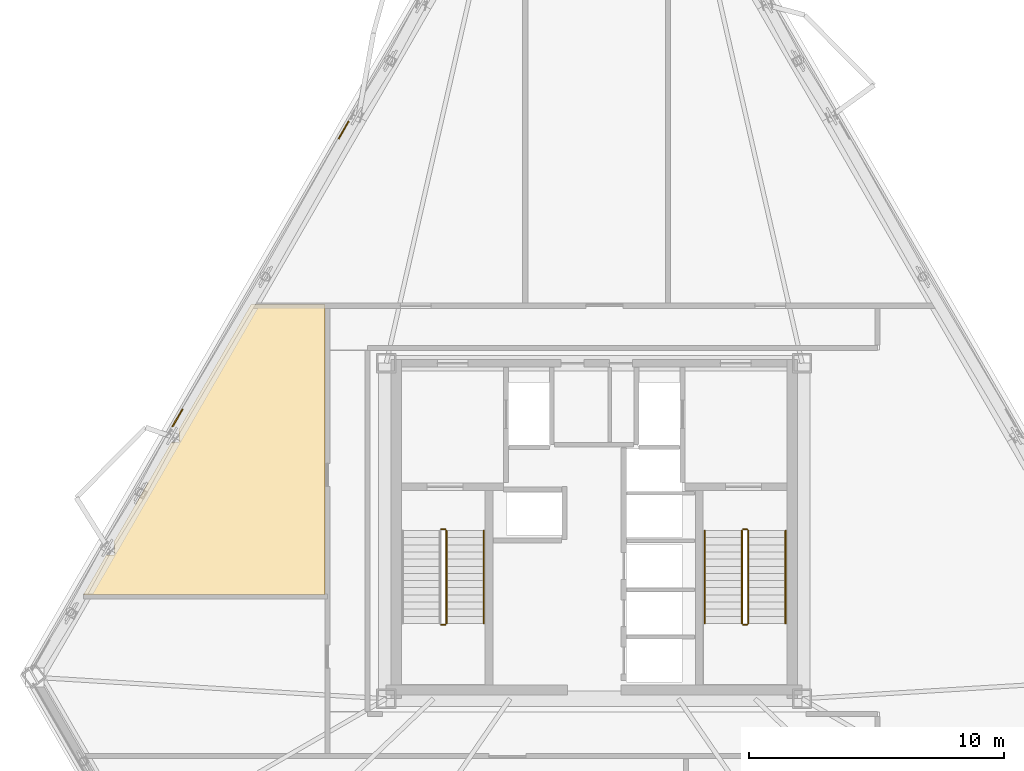
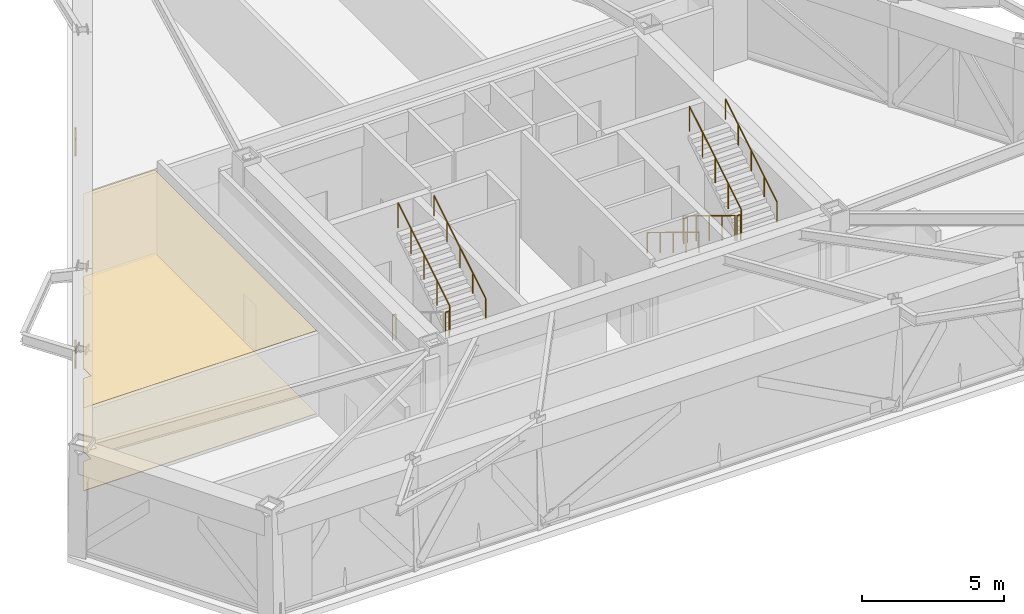
# One storey, part 9 of 10: 10 railings, 4 coverings.
"""IFC4 building model written with IfcOpenShell, lengths in metres."""

from ifc_helpers import new_model, si_unit, direction, frame, origin, origin_2d, place, context, subcontext, project, spatial, polyline, rectangle, circle, outline, extrude, material, layer, layer_set, type_object, element, save


model = new_model("IFC4")

# Units and contexts
model_context = context("Model", 3, precision=1e-05, world=origin(), true_north=direction((0.0, 1.0)))
body_context = subcontext(model_context, "Body", "Model", "MODEL_VIEW")
ifc_project = project(units=[si_unit("LENGTHUNIT", "METRE"), si_unit("AREAUNIT", "SQUARE_METRE"), si_unit("VOLUMEUNIT", "CUBIC_METRE"), si_unit("PLANEANGLEUNIT", "RADIAN"), si_unit("MASSUNIT", "GRAM", prefix="KILO")], contexts=[model_context])

# Site, building, storey
site_placement = place(None, origin())
site = spatial("IfcSite", under=ifc_project, at=site_placement, CompositionType="ELEMENT")
building_placement = place(site_placement, origin())
building = spatial("IfcBuilding", under=site, at=building_placement, Name="Oramaril Tower", CompositionType="ELEMENT")
storey_placement = place(building_placement, frame((0.0, 0.0, 189.0)))
storey = spatial("IfcBuildingStorey", under=building, at=storey_placement, Name="L50", CompositionType="ELEMENT", Elevation=189.0)

# Coverings
ifc_material_1 = material(Name="Mineral Fibre Acoustic Ceiling")
ifc_layer_1 = layer(ifc_material_1, 0.02001953125)
ifc_layer_set_1 = layer_set([ifc_layer_1], Name="CVT-CEIL")
covering_type_1 = type_object("IfcCoveringType", Name="CVT-CEIL", PredefinedType="CEILING", material=ifc_layer_set_1)
covering_1_placement = place(storey_placement, frame((0.0, 0.0, 3.56201171875)))
element("IfcCovering", 1, at=covering_1_placement, inside=storey, type_object=covering_type_1, Name="L50 Acoustic Suspended Ceiling 7", PredefinedType="CEILING", context=body_context, shape_type="SweptSolid", body=[
    extrude(outline(polyline([(18.38916015625, 16.640380859375), (18.69189453125, 16.640380859375), (18.69189453125, 17.132080078125), (18.673095703125, 17.132080078125), (20.925537109375, 21.03369140625), (21.228515625, 21.03369140625), (21.228515625, 21.518310546875), (21.205322265625, 21.518310546875), (24.048095703125, 26.44189453125), (26.949951171875, 26.44189453125), (26.949951171875, 24.669921875), (26.9501953125, 24.66796875), (26.950439453125, 24.666015625), (26.950927734375, 24.664306640625), (26.951416015625, 24.662353515625), (26.952392578125, 24.66064453125), (26.95263671875, 24.659912109375), (26.952392578125, 24.659423828125), (26.951416015625, 24.65771484375), (26.950927734375, 24.65576171875), (26.950439453125, 24.65380859375), (26.9501953125, 24.652099609375), (26.949951171875, 24.64990234375), (26.949951171875, 15.06201171875), (17.477783203125, 15.06201171875), (18.38916015625, 16.640380859375)])), origin(), (0.0, 0.0, 1.0), 0.02001953125),
])
ifc_material_2 = material(Name="Warm Cream Limestone", Category="masonry")
ifc_layer_2 = layer(ifc_material_2, 0.050048828125)
ifc_layer_set_2 = layer_set([ifc_layer_2], Name="CVT-CLD")
covering_type_2 = type_object("IfcCoveringType", Name="CVT-CLD", PredefinedType="CLADDING", material=ifc_layer_set_2)
for number, where, z_axis, x_axis, name in (
    (2, (27.681640625, 33.28759765625, 0.0400390625), (0.0, 0.0, 1.0), (-0.5, -0.866025403784, 0.0), "L50 Warm Cream Limestone Spandrel Cladding"),
    (3, (21.170166015625, 22.00927734375, 0.0400390625), (0.0, 0.0, 1.0), (-0.5, -0.866025403784, 0.0), "L50 Warm Cream Limestone Spandrel Cladding"),
):
    element("IfcCovering", number, at=place(storey_placement, frame(where, z_axis=z_axis, x_axis=x_axis)), inside=storey, type_object=covering_type_2, Name=name, PredefinedType="CLADDING", context=body_context, shape_type="SweptSolid", body=[
        extrude(rectangle(XDim=0.800048828125, YDim=0.050048828125, at=origin_2d()), origin(), (0.0, 0.0, 1.0), 0.679931640625),
    ])
ifc_material_3 = material(Name="Honed Quartzite Stone Flooring", Category="masonry")
ifc_layer_3 = layer(ifc_material_3, 0.02490234375)
ifc_layer_set_3 = layer_set([ifc_layer_3], Name="CVT-FLR")
covering_type_3 = type_object("IfcCoveringType", Name="CVT-FLR", PredefinedType="FLOORING", material=ifc_layer_set_3)
covering_2_placement = place(storey_placement, origin())
element("IfcCovering", 4, at=covering_2_placement, inside=storey, type_object=covering_type_3, Name="L50 Honed Stone Floor Finish 7", PredefinedType="FLOORING", context=body_context, shape_type="SweptSolid", body=[
    extrude(outline(polyline([(18.38916015625, 16.640380859375), (18.69189453125, 16.640380859375), (18.69189453125, 17.132080078125), (18.673095703125, 17.132080078125), (20.925537109375, 21.03369140625), (21.228515625, 21.03369140625), (21.228515625, 21.518310546875), (21.205322265625, 21.518310546875), (24.048095703125, 26.44189453125), (26.949951171875, 26.44189453125), (26.949951171875, 24.669921875), (26.9501953125, 24.66796875), (26.950439453125, 24.666015625), (26.950927734375, 24.664306640625), (26.951416015625, 24.662353515625), (26.952392578125, 24.66064453125), (26.95263671875, 24.659912109375), (26.952392578125, 24.659423828125), (26.951416015625, 24.65771484375), (26.950927734375, 24.65576171875), (26.950439453125, 24.65380859375), (26.9501953125, 24.652099609375), (26.949951171875, 24.64990234375), (26.949951171875, 15.06201171875), (17.477783203125, 15.06201171875), (18.38916015625, 16.640380859375)])), origin(), (0.0, 0.0, 1.0), 0.02490234375),
])

# Railings
ifc_material_4 = material(Name="Stainless Steel 316L", Category="steel")
railing_type_1 = type_object("IfcRailingType", Name="RLT-GRD", PredefinedType="GUARDRAIL", material=ifc_material_4)
railing_1_placement = place(storey_placement, frame((31.510009765625, 13.89990234375, 2.39990234375)))
element("IfcRailing", 5, at=railing_1_placement, inside=storey, type_object=railing_type_1, Name="L50 ST-1 stair guard 2", PredefinedType="GUARDRAIL", context=body_context, shape_type="SweptSolid", body=[
    extrude(circle(Radius=0.02392578125, at=origin_2d()), frame((0.0, 0.0, 1.076171875), z_axis=(1.0, 0.0, 0.0), x_axis=(0.0, 1.0, 0.0)), (0.0, 0.0, 1.0), 0.14990234375),
    extrude(circle(Radius=0.02099609375, at=origin_2d()), origin(), (0.0, 0.0, 1.0), 1.052001953125),
    extrude(circle(Radius=0.02099609375, at=origin_2d()), frame((0.14990234375, 0.0, 0.0)), (0.0, 0.0, 1.0), 1.052001953125),
])
railing_2_placement = place(storey_placement, frame((31.7099609375, 13.949951171875, 2.571533203125)))
element("IfcRailing", 6, at=railing_2_placement, inside=storey, type_object=railing_type_1, Name="L50 ST-1 stair guard 3", PredefinedType="GUARDRAIL", context=body_context, shape_type="SweptSolid", body=[
    extrude(circle(Radius=0.02392578125, at=origin_2d()), frame((0.0, 0.0, 1.076171875), z_axis=(0.0, 0.852865859571, 0.52213008492), x_axis=(-1.0, 0.0, 0.0)), (0.0, 0.0, 1.0), 4.26806640625),
    extrude(circle(Radius=0.02099609375, at=origin_2d()), origin(), (0.0, 0.0, 1.0), 1.052001953125),
    extrude(circle(Radius=0.02099609375, at=origin_2d()), frame((0.0, 0.91015625, 0.55712890625)), (0.0, 0.0, 1.0), 1.052001953125),
    extrude(circle(Radius=0.02099609375, at=origin_2d()), frame((0.0, 1.820068359375, 1.1142578125)), (0.0, 0.0, 1.0), 1.052001953125),
    extrude(circle(Radius=0.02099609375, at=origin_2d()), frame((0.0, 2.72998046875, 1.67138671875)), (0.0, 0.0, 1.0), 1.052001953125),
    extrude(circle(Radius=0.02099609375, at=origin_2d()), frame((0.0, 3.64013671875, 2.228515625)), (0.0, 0.0, 1.0), 1.052001953125),
])
railing_3_placement = place(storey_placement, frame((31.510009765625, 17.639892578125, 0.0)))
element("IfcRailing", 7, at=railing_3_placement, inside=storey, type_object=railing_type_1, Name="L50 ST-1 stair guard 4", PredefinedType="GUARDRAIL", context=body_context, shape_type="SweptSolid", body=[
    extrude(circle(Radius=0.02392578125, at=origin_2d()), frame((0.0, 0.0, 1.076171875), z_axis=(1.0, 0.0, 0.0), x_axis=(0.0, 1.0, 0.0)), (0.0, 0.0, 1.0), 0.14990234375),
    extrude(circle(Radius=0.02099609375, at=origin_2d()), origin(), (0.0, 0.0, 1.0), 1.052001953125),
    extrude(circle(Radius=0.02099609375, at=origin_2d()), frame((0.14990234375, 0.0, 0.0)), (0.0, 0.0, 1.0), 1.052001953125),
])
railing_4_placement = place(storey_placement, frame((43.2900390625, 17.590087890625, 0.17138671875)))
element("IfcRailing", 8, at=railing_4_placement, inside=storey, type_object=railing_type_1, Name="L50 ST-2 stair guard 1", PredefinedType="GUARDRAIL", context=body_context, shape_type="SweptSolid", body=[
    extrude(circle(Radius=0.02392578125, at=origin_2d()), frame((0.0, 0.0, 1.076171875), z_axis=(0.0, -0.852865859571, 0.52213008492), x_axis=(1.0, 0.0, 0.0)), (0.0, 0.0, 1.0), 4.26806640625),
    extrude(circle(Radius=0.02099609375, at=origin_2d()), origin(), (0.0, 0.0, 1.0), 1.052001953125),
    extrude(circle(Radius=0.02099609375, at=origin_2d()), frame((0.0, -0.91015625, 0.55712890625)), (0.0, 0.0, 1.0), 1.052001953125),
    extrude(circle(Radius=0.02099609375, at=origin_2d()), frame((0.0, -1.820068359375, 1.1142578125)), (0.0, 0.0, 1.0), 1.052001953125),
    extrude(circle(Radius=0.02099609375, at=origin_2d()), frame((0.0, -2.72998046875, 1.67138671875)), (0.0, 0.0, 1.0), 1.052001953125),
    extrude(circle(Radius=0.02099609375, at=origin_2d()), frame((0.0, -3.64013671875, 2.228515625)), (0.0, 0.0, 1.0), 1.052001953125),
])
railing_5_placement = place(storey_placement, frame((43.340087890625, 13.89990234375, 2.39990234375)))
element("IfcRailing", 9, at=railing_5_placement, inside=storey, type_object=railing_type_1, Name="L50 ST-2 stair guard 2", PredefinedType="GUARDRAIL", context=body_context, shape_type="SweptSolid", body=[
    extrude(circle(Radius=0.02392578125, at=origin_2d()), frame((0.0, 0.0, 1.076171875), z_axis=(1.0, 0.0, 0.0), x_axis=(0.0, 1.0, 0.0)), (0.0, 0.0, 1.0), 0.14990234375),
    extrude(circle(Radius=0.02099609375, at=origin_2d()), origin(), (0.0, 0.0, 1.0), 1.052001953125),
    extrude(circle(Radius=0.02099609375, at=origin_2d()), frame((0.14990234375, 0.0, 0.0)), (0.0, 0.0, 1.0), 1.052001953125),
])
railing_6_placement = place(storey_placement, frame((43.5400390625, 13.949951171875, 2.571533203125)))
element("IfcRailing", 10, at=railing_6_placement, inside=storey, type_object=railing_type_1, Name="L50 ST-2 stair guard 3", PredefinedType="GUARDRAIL", context=body_context, shape_type="SweptSolid", body=[
    extrude(circle(Radius=0.02392578125, at=origin_2d()), frame((0.0, 0.0, 1.076171875), z_axis=(0.0, 0.852865859571, 0.52213008492), x_axis=(-1.0, 0.0, 0.0)), (0.0, 0.0, 1.0), 4.26806640625),
    extrude(circle(Radius=0.02099609375, at=origin_2d()), origin(), (0.0, 0.0, 1.0), 1.052001953125),
    extrude(circle(Radius=0.02099609375, at=origin_2d()), frame((0.0, 0.91015625, 0.55712890625)), (0.0, 0.0, 1.0), 1.052001953125),
    extrude(circle(Radius=0.02099609375, at=origin_2d()), frame((0.0, 1.820068359375, 1.1142578125)), (0.0, 0.0, 1.0), 1.052001953125),
    extrude(circle(Radius=0.02099609375, at=origin_2d()), frame((0.0, 2.72998046875, 1.67138671875)), (0.0, 0.0, 1.0), 1.052001953125),
    extrude(circle(Radius=0.02099609375, at=origin_2d()), frame((0.0, 3.64013671875, 2.228515625)), (0.0, 0.0, 1.0), 1.052001953125),
])
railing_7_placement = place(storey_placement, frame((43.340087890625, 17.639892578125, 0.0)))
element("IfcRailing", 11, at=railing_7_placement, inside=storey, type_object=railing_type_1, Name="L50 ST-2 stair guard 4", PredefinedType="GUARDRAIL", context=body_context, shape_type="SweptSolid", body=[
    extrude(circle(Radius=0.02392578125, at=origin_2d()), frame((0.0, 0.0, 1.076171875), z_axis=(1.0, 0.0, 0.0), x_axis=(0.0, 1.0, 0.0)), (0.0, 0.0, 1.0), 0.14990234375),
    extrude(circle(Radius=0.02099609375, at=origin_2d()), origin(), (0.0, 0.0, 1.0), 1.052001953125),
    extrude(circle(Radius=0.02099609375, at=origin_2d()), frame((0.14990234375, 0.0, 0.0)), (0.0, 0.0, 1.0), 1.052001953125),
])
ifc_material_5 = material(Name="Stainless Steel 316L", Category="steel")
railing_type_2 = type_object("IfcRailingType", Name="RLT-HND", PredefinedType="HANDRAIL", material=ifc_material_5)
railing_8_placement = place(storey_placement, frame((33.169921875, 13.949951171875, 2.571533203125)))
element("IfcRailing", 12, at=railing_8_placement, inside=storey, type_object=railing_type_2, Name="L50 ST-1 stair handrail 2", PredefinedType="HANDRAIL", context=body_context, shape_type="SweptSolid", body=[
    extrude(circle(Radius=0.02392578125, at=origin_2d()), frame((0.0, 0.0, 0.8759765625), z_axis=(0.0, 0.852865859571, 0.52213008492), x_axis=(-1.0, 0.0, 0.0)), (0.0, 0.0, 1.0), 4.26806640625),
    extrude(circle(Radius=0.02099609375, at=origin_2d()), origin(), (0.0, 0.0, 1.0), 0.851806640625),
    extrude(circle(Radius=0.02099609375, at=origin_2d()), frame((0.0, 0.91015625, 0.55712890625)), (0.0, 0.0, 1.0), 0.851806640625),
    extrude(circle(Radius=0.02099609375, at=origin_2d()), frame((0.0, 1.820068359375, 1.1142578125)), (0.0, 0.0, 1.0), 0.851806640625),
    extrude(circle(Radius=0.02099609375, at=origin_2d()), frame((0.0, 2.72998046875, 1.67138671875)), (0.0, 0.0, 1.0), 0.851806640625),
    extrude(circle(Radius=0.02099609375, at=origin_2d()), frame((0.0, 3.64013671875, 2.228515625)), (0.0, 0.0, 1.0), 0.851806640625),
])
railing_9_placement = place(storey_placement, frame((41.830078125, 17.590087890625, 0.17138671875)))
element("IfcRailing", 13, at=railing_9_placement, inside=storey, type_object=railing_type_2, Name="L50 ST-2 stair handrail 1", PredefinedType="HANDRAIL", context=body_context, shape_type="SweptSolid", body=[
    extrude(circle(Radius=0.02392578125, at=origin_2d()), frame((0.0, 0.0, 0.8759765625), z_axis=(0.0, -0.852865859571, 0.52213008492), x_axis=(1.0, 0.0, 0.0)), (0.0, 0.0, 1.0), 4.26806640625),
    extrude(circle(Radius=0.02099609375, at=origin_2d()), origin(), (0.0, 0.0, 1.0), 0.851806640625),
    extrude(circle(Radius=0.02099609375, at=origin_2d()), frame((0.0, -0.91015625, 0.55712890625)), (0.0, 0.0, 1.0), 0.851806640625),
    extrude(circle(Radius=0.02099609375, at=origin_2d()), frame((0.0, -1.820068359375, 1.1142578125)), (0.0, 0.0, 1.0), 0.851806640625),
    extrude(circle(Radius=0.02099609375, at=origin_2d()), frame((0.0, -2.72998046875, 1.67138671875)), (0.0, 0.0, 1.0), 0.851806640625),
    extrude(circle(Radius=0.02099609375, at=origin_2d()), frame((0.0, -3.64013671875, 2.228515625)), (0.0, 0.0, 1.0), 0.851806640625),
])
railing_10_placement = place(storey_placement, frame((45.0, 13.949951171875, 2.571533203125)))
element("IfcRailing", 14, at=railing_10_placement, inside=storey, type_object=railing_type_2, Name="L50 ST-2 stair handrail 2", PredefinedType="HANDRAIL", context=body_context, shape_type="SweptSolid", body=[
    extrude(circle(Radius=0.02392578125, at=origin_2d()), frame((0.0, 0.0, 0.8759765625), z_axis=(0.0, 0.852865859571, 0.52213008492), x_axis=(-1.0, 0.0, 0.0)), (0.0, 0.0, 1.0), 4.26806640625),
    extrude(circle(Radius=0.02099609375, at=origin_2d()), origin(), (0.0, 0.0, 1.0), 0.851806640625),
    extrude(circle(Radius=0.02099609375, at=origin_2d()), frame((0.0, 0.91015625, 0.55712890625)), (0.0, 0.0, 1.0), 0.851806640625),
    extrude(circle(Radius=0.02099609375, at=origin_2d()), frame((0.0, 1.820068359375, 1.1142578125)), (0.0, 0.0, 1.0), 0.851806640625),
    extrude(circle(Radius=0.02099609375, at=origin_2d()), frame((0.0, 2.72998046875, 1.67138671875)), (0.0, 0.0, 1.0), 0.851806640625),
    extrude(circle(Radius=0.02099609375, at=origin_2d()), frame((0.0, 3.64013671875, 2.228515625)), (0.0, 0.0, 1.0), 0.851806640625),
])

save(model, "model.ifc")
